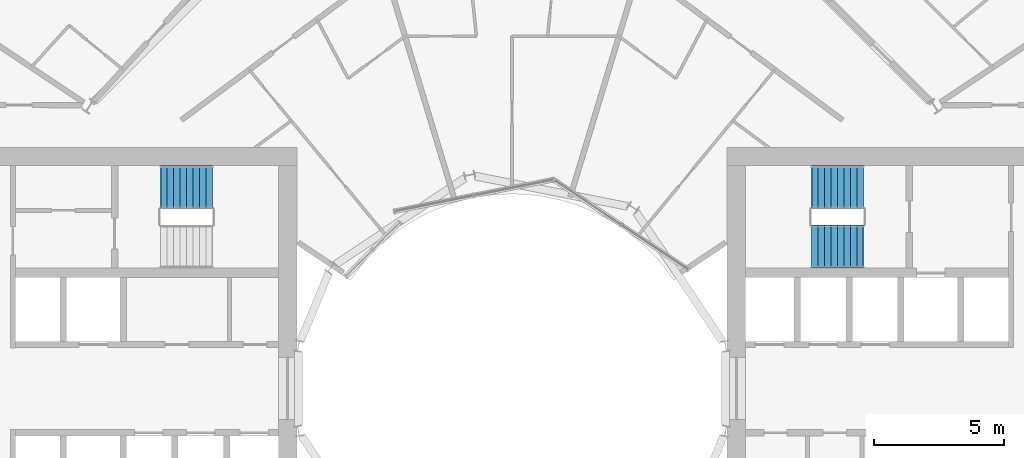
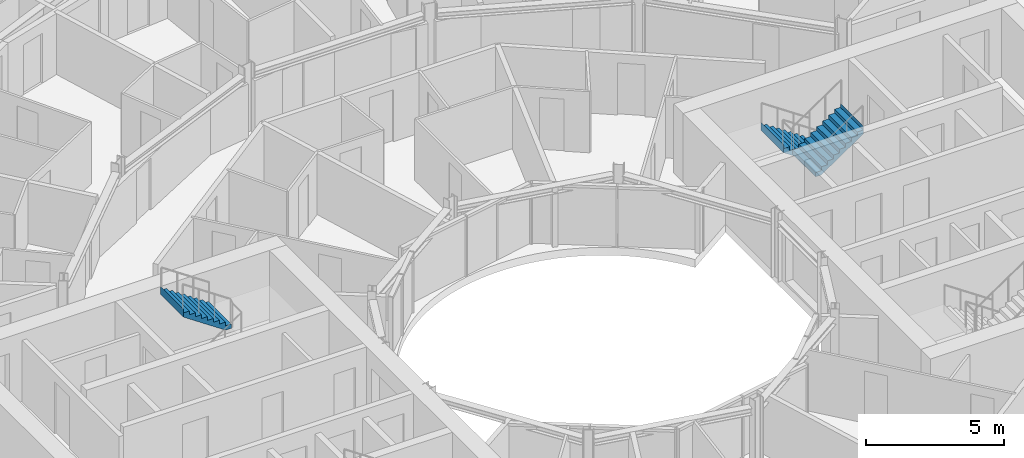
# One storey, part 24 of 26: 3 stair flights, 2 elements without a shape of their own.
"""IFC4 building model written with IfcOpenShell, lengths in metres."""

from ifc_helpers import new_model, si_unit, direction, frame, origin, place, context, subcontext, project, spatial, triangles, material, type_object, element, aggregate, save


model = new_model("IFC4")

# Units and contexts
model_context = context("Model", 3, precision=1e-05, world=origin(), true_north=direction((0.0, 1.0)))
body_context = subcontext(model_context, "Body", "Model", "MODEL_VIEW")
ifc_project = project(units=[si_unit("LENGTHUNIT", "METRE"), si_unit("AREAUNIT", "SQUARE_METRE"), si_unit("VOLUMEUNIT", "CUBIC_METRE"), si_unit("PLANEANGLEUNIT", "RADIAN"), si_unit("MASSUNIT", "GRAM", prefix="KILO")], contexts=[model_context])

# Site, building, storey
site_placement = place(None, origin())
site = spatial("IfcSite", under=ifc_project, at=site_placement, CompositionType="ELEMENT")
building_placement = place(site_placement, origin())
building = spatial("IfcBuilding", under=site, at=building_placement, Name="Maasbend Ring Residences", CompositionType="ELEMENT")
storey_placement = place(building_placement, frame((0.0, 0.0, 75.800048828125)))
storey = spatial("IfcBuildingStorey", under=building, at=storey_placement, Name="L21", CompositionType="ELEMENT", Elevation=75.800048828125)

# Stair, stair flights
ifc_material_1 = material(Name="Concrete C40/50", Category="concrete")
stair_type = type_object("IfcStairType", Name="CORE STAIR 18 RISERS", PredefinedType="HALF_TURN_STAIR", material=ifc_material_1)
stair_1_placement = place(storey_placement, origin())
stair_1 = element("IfcStair", 1, at=stair_1_placement, inside=storey, type_object=stair_type, Name="L21 Exit stair ST-E1", PredefinedType="HALF_TURN_STAIR")
ifc_material_2 = material(Name="Concrete C40/50", Category="concrete")
stair_flight_type = type_object("IfcStairFlightType", Name="CORE STAIR FLIGHT 1650", PredefinedType="STRAIGHT", material=ifc_material_2)
stair_flight_1_placement = place(storey_placement, frame((13.550048828125, 7.77490234375, 0.0), z_axis=(0.0, 0.0, 1.0), x_axis=(-1.0, 0.0, 0.0)))
stair_flight_1 = element("IfcStairFlight", 2, at=stair_flight_1_placement, type_object=stair_flight_type, Name="ST-E1 flight 1", NumberOfRisers=9, NumberOfTreads=8, PredefinedType="STRAIGHT", RiserHeight=0.169444444, TreadLength=0.25, context=body_context, shape_type="Tessellation", body=[
    triangles([(0.24072265625, 0.824951171875, -0.02001953125), (2.0029296875, 0.824951171875, 1.174560546875), (2.0029296875, 0.824951171875, 1.52490234375), (1.989990234375, 0.824951171875, 1.35546875), (1.75, 0.824951171875, 1.35546875), (1.75, 0.824951171875, 1.18603515625), (1.5, 0.824951171875, 1.18603515625), (1.5, 0.824951171875, 1.0166015625), (1.25, 0.824951171875, 1.0166015625), (1.25, 0.824951171875, 0.84716796875), (1.0, 0.824951171875, 0.84716796875), (1.0, 0.824951171875, 0.677734375), (0.75, 0.824951171875, 0.677734375), (0.75, 0.824951171875, 0.50830078125), (0.5, 0.824951171875, 0.50830078125), (0.5, 0.824951171875, 0.3388671875), (0.25, 0.824951171875, 0.3388671875), (0.25, 0.824951171875, 0.16943359375), (0.0, 0.824951171875, 0.16943359375), (0.0, 0.824951171875, 0.0), (-0.0029296875, 0.824951171875, 0.0), (-0.0029296875, 0.824951171875, -0.02001953125), (0.24072265625, 0.27490234375, -0.02001953125), (2.0029296875, 0.27490234375, 1.174560546875), (2.0029296875, 0.27490234375, 1.52490234375), (1.989990234375, 0.27490234375, 1.35546875), (1.75, 0.27490234375, 1.35546875), (1.75, 0.27490234375, 1.18603515625), (1.5, 0.27490234375, 1.18603515625), (1.5, 0.27490234375, 1.0166015625), (1.25, 0.27490234375, 1.0166015625), (1.25, 0.27490234375, 0.84716796875), (1.0, 0.27490234375, 0.84716796875), (1.0, 0.27490234375, 0.677734375), (0.75, 0.27490234375, 0.677734375), (0.75, 0.27490234375, 0.50830078125), (0.5, 0.27490234375, 0.50830078125), (0.5, 0.27490234375, 0.3388671875), (0.25, 0.27490234375, 0.3388671875), (0.25, 0.27490234375, 0.16943359375), (0.0, 0.27490234375, 0.16943359375), (0.0, 0.27490234375, 0.0), (-0.0029296875, 0.27490234375, 0.0), (-0.0029296875, 0.27490234375, -0.02001953125), (0.24072265625, -0.27490234375, -0.02001953125), (2.0029296875, -0.27490234375, 1.174560546875), (2.0029296875, -0.27490234375, 1.52490234375), (1.989990234375, -0.27490234375, 1.35546875), (1.75, -0.27490234375, 1.35546875), (1.75, -0.27490234375, 1.18603515625), (1.5, -0.27490234375, 1.18603515625), (1.5, -0.27490234375, 1.0166015625), (1.25, -0.27490234375, 1.0166015625), (1.25, -0.27490234375, 0.84716796875), (1.0, -0.27490234375, 0.84716796875), (1.0, -0.27490234375, 0.677734375), (0.75, -0.27490234375, 0.677734375), (0.75, -0.27490234375, 0.50830078125), (0.5, -0.27490234375, 0.50830078125), (0.5, -0.27490234375, 0.3388671875), (0.25, -0.27490234375, 0.3388671875), (0.25, -0.27490234375, 0.16943359375), (0.0, -0.27490234375, 0.16943359375), (0.0, -0.27490234375, 0.0), (-0.0029296875, -0.27490234375, 0.0), (-0.0029296875, -0.27490234375, -0.02001953125), (0.24072265625, -0.824951171875, -0.02001953125), (2.0029296875, -0.824951171875, 1.174560546875), (2.0029296875, -0.824951171875, 1.52490234375), (1.989990234375, -0.824951171875, 1.35546875), (1.75, -0.824951171875, 1.35546875), (1.75, -0.824951171875, 1.18603515625), (1.5, -0.824951171875, 1.18603515625), (1.5, -0.824951171875, 1.0166015625), (1.25, -0.824951171875, 1.0166015625), (1.25, -0.824951171875, 0.84716796875), (1.0, -0.824951171875, 0.84716796875), (1.0, -0.824951171875, 0.677734375), (0.75, -0.824951171875, 0.677734375), (0.75, -0.824951171875, 0.50830078125), (0.5, -0.824951171875, 0.50830078125), (0.5, -0.824951171875, 0.3388671875), (0.25, -0.824951171875, 0.3388671875), (0.25, -0.824951171875, 0.16943359375), (0.0, -0.824951171875, 0.16943359375), (0.0, -0.824951171875, 0.0), (-0.0029296875, -0.824951171875, 0.0), (-0.0029296875, -0.824951171875, -0.02001953125)], [[1, 2, 24], [1, 24, 23], [23, 24, 46], [23, 46, 45], [45, 46, 68], [45, 68, 67], [2, 3, 25], [2, 25, 24], [24, 25, 47], [24, 47, 46], [46, 47, 69], [46, 69, 68], [3, 4, 26], [3, 26, 25], [25, 26, 48], [25, 48, 47], [47, 48, 70], [47, 70, 69], [4, 5, 27], [4, 27, 26], [26, 27, 49], [26, 49, 48], [48, 49, 71], [48, 71, 70], [5, 6, 28], [5, 28, 27], [27, 28, 50], [27, 50, 49], [49, 50, 72], [49, 72, 71], [6, 7, 29], [6, 29, 28], [28, 29, 51], [28, 51, 50], [50, 51, 73], [50, 73, 72], [7, 8, 30], [7, 30, 29], [29, 30, 52], [29, 52, 51], [51, 52, 74], [51, 74, 73], [8, 9, 31], [8, 31, 30], [30, 31, 53], [30, 53, 52], [52, 53, 75], [52, 75, 74], [9, 10, 32], [9, 32, 31], [31, 32, 54], [31, 54, 53], [53, 54, 76], [53, 76, 75], [10, 11, 33], [10, 33, 32], [32, 33, 55], [32, 55, 54], [54, 55, 77], [54, 77, 76], [11, 12, 34], [11, 34, 33], [33, 34, 56], [33, 56, 55], [55, 56, 78], [55, 78, 77], [12, 13, 35], [12, 35, 34], [34, 35, 57], [34, 57, 56], [56, 57, 79], [56, 79, 78], [13, 14, 36], [13, 36, 35], [35, 36, 58], [35, 58, 57], [57, 58, 80], [57, 80, 79], [14, 15, 37], [14, 37, 36], [36, 37, 59], [36, 59, 58], [58, 59, 81], [58, 81, 80], [15, 16, 38], [15, 38, 37], [37, 38, 60], [37, 60, 59], [59, 60, 82], [59, 82, 81], [16, 17, 39], [16, 39, 38], [38, 39, 61], [38, 61, 60], [60, 61, 83], [60, 83, 82], [17, 18, 40], [17, 40, 39], [39, 40, 62], [39, 62, 61], [61, 62, 84], [61, 84, 83], [18, 19, 41], [18, 41, 40], [40, 41, 63], [40, 63, 62], [62, 63, 85], [62, 85, 84], [19, 20, 42], [19, 42, 41], [41, 42, 64], [41, 64, 63], [63, 64, 86], [63, 86, 85], [20, 21, 43], [20, 43, 42], [42, 43, 65], [42, 65, 64], [64, 65, 87], [64, 87, 86], [21, 22, 44], [21, 44, 43], [43, 44, 66], [43, 66, 65], [65, 66, 88], [65, 88, 87], [22, 1, 23], [22, 23, 44], [44, 23, 45], [44, 45, 66], [66, 45, 67], [66, 67, 88], [22, 2, 1], [2, 4, 3], [2, 5, 4], [2, 6, 5], [22, 6, 2], [6, 8, 7], [22, 8, 6], [8, 10, 9], [22, 10, 8], [10, 12, 11], [22, 12, 10], [12, 14, 13], [22, 14, 12], [14, 16, 15], [22, 16, 14], [16, 18, 17], [22, 18, 16], [18, 20, 19], [22, 20, 18], [20, 22, 21], [88, 67, 68], [68, 69, 70], [68, 70, 71], [68, 71, 72], [88, 68, 72], [72, 73, 74], [88, 72, 74], [74, 75, 76], [88, 74, 76], [76, 77, 78], [88, 76, 78], [78, 79, 80], [88, 78, 80], [80, 81, 82], [88, 80, 82], [82, 83, 84], [88, 82, 84], [84, 85, 86], [88, 84, 86], [86, 87, 88]], closed=True),
])
stair_flight_2_placement = place(storey_placement, frame((11.550048828125, 5.47509765625, 1.52490234375), z_axis=(0.0, 0.0, 1.0), x_axis=(1.0, 0.0, 0.0)))
stair_flight_2 = element("IfcStairFlight", 3, at=stair_flight_2_placement, type_object=stair_flight_type, Name="ST-E1 flight 2", NumberOfRisers=9, NumberOfTreads=8, PredefinedType="STRAIGHT", RiserHeight=0.169444444, TreadLength=0.25, context=body_context, shape_type="Tessellation", body=[
    triangles([(0.24072265625, 0.824951171875, -0.02001953125), (2.0029296875, 0.824951171875, 1.174560546875), (2.0029296875, 0.824951171875, 1.52490234375), (1.989990234375, 0.824951171875, 1.35546875), (1.75, 0.824951171875, 1.35546875), (1.75, 0.824951171875, 1.18603515625), (1.5, 0.824951171875, 1.18603515625), (1.5, 0.824951171875, 1.0166015625), (1.25, 0.824951171875, 1.0166015625), (1.25, 0.824951171875, 0.84716796875), (1.0, 0.824951171875, 0.84716796875), (1.0, 0.824951171875, 0.677734375), (0.75, 0.824951171875, 0.677734375), (0.75, 0.824951171875, 0.50830078125), (0.5, 0.824951171875, 0.50830078125), (0.5, 0.824951171875, 0.3388671875), (0.25, 0.824951171875, 0.3388671875), (0.25, 0.824951171875, 0.16943359375), (0.0, 0.824951171875, 0.16943359375), (0.0, 0.824951171875, 0.0), (-0.0029296875, 0.824951171875, 0.0), (-0.0029296875, 0.824951171875, -0.02001953125), (0.24072265625, 0.27490234375, -0.02001953125), (2.0029296875, 0.27490234375, 1.174560546875), (2.0029296875, 0.27490234375, 1.52490234375), (1.989990234375, 0.27490234375, 1.35546875), (1.75, 0.27490234375, 1.35546875), (1.75, 0.27490234375, 1.18603515625), (1.5, 0.27490234375, 1.18603515625), (1.5, 0.27490234375, 1.0166015625), (1.25, 0.27490234375, 1.0166015625), (1.25, 0.27490234375, 0.84716796875), (1.0, 0.27490234375, 0.84716796875), (1.0, 0.27490234375, 0.677734375), (0.75, 0.27490234375, 0.677734375), (0.75, 0.27490234375, 0.50830078125), (0.5, 0.27490234375, 0.50830078125), (0.5, 0.27490234375, 0.3388671875), (0.25, 0.27490234375, 0.3388671875), (0.25, 0.27490234375, 0.16943359375), (0.0, 0.27490234375, 0.16943359375), (0.0, 0.27490234375, 0.0), (-0.0029296875, 0.27490234375, 0.0), (-0.0029296875, 0.27490234375, -0.02001953125), (0.24072265625, -0.27490234375, -0.02001953125), (2.0029296875, -0.27490234375, 1.174560546875), (2.0029296875, -0.27490234375, 1.52490234375), (1.989990234375, -0.27490234375, 1.35546875), (1.75, -0.27490234375, 1.35546875), (1.75, -0.27490234375, 1.18603515625), (1.5, -0.27490234375, 1.18603515625), (1.5, -0.27490234375, 1.0166015625), (1.25, -0.27490234375, 1.0166015625), (1.25, -0.27490234375, 0.84716796875), (1.0, -0.27490234375, 0.84716796875), (1.0, -0.27490234375, 0.677734375), (0.75, -0.27490234375, 0.677734375), (0.75, -0.27490234375, 0.50830078125), (0.5, -0.27490234375, 0.50830078125), (0.5, -0.27490234375, 0.3388671875), (0.25, -0.27490234375, 0.3388671875), (0.25, -0.27490234375, 0.16943359375), (0.0, -0.27490234375, 0.16943359375), (0.0, -0.27490234375, 0.0), (-0.0029296875, -0.27490234375, 0.0), (-0.0029296875, -0.27490234375, -0.02001953125), (0.24072265625, -0.824951171875, -0.02001953125), (2.0029296875, -0.824951171875, 1.174560546875), (2.0029296875, -0.824951171875, 1.52490234375), (1.989990234375, -0.824951171875, 1.35546875), (1.75, -0.824951171875, 1.35546875), (1.75, -0.824951171875, 1.18603515625), (1.5, -0.824951171875, 1.18603515625), (1.5, -0.824951171875, 1.0166015625), (1.25, -0.824951171875, 1.0166015625), (1.25, -0.824951171875, 0.84716796875), (1.0, -0.824951171875, 0.84716796875), (1.0, -0.824951171875, 0.677734375), (0.75, -0.824951171875, 0.677734375), (0.75, -0.824951171875, 0.50830078125), (0.5, -0.824951171875, 0.50830078125), (0.5, -0.824951171875, 0.3388671875), (0.25, -0.824951171875, 0.3388671875), (0.25, -0.824951171875, 0.16943359375), (0.0, -0.824951171875, 0.16943359375), (0.0, -0.824951171875, 0.0), (-0.0029296875, -0.824951171875, 0.0), (-0.0029296875, -0.824951171875, -0.02001953125)], [[1, 2, 24], [1, 24, 23], [23, 24, 46], [23, 46, 45], [45, 46, 68], [45, 68, 67], [2, 3, 25], [2, 25, 24], [24, 25, 47], [24, 47, 46], [46, 47, 69], [46, 69, 68], [3, 4, 26], [3, 26, 25], [25, 26, 48], [25, 48, 47], [47, 48, 70], [47, 70, 69], [4, 5, 27], [4, 27, 26], [26, 27, 49], [26, 49, 48], [48, 49, 71], [48, 71, 70], [5, 6, 28], [5, 28, 27], [27, 28, 50], [27, 50, 49], [49, 50, 72], [49, 72, 71], [6, 7, 29], [6, 29, 28], [28, 29, 51], [28, 51, 50], [50, 51, 73], [50, 73, 72], [7, 8, 30], [7, 30, 29], [29, 30, 52], [29, 52, 51], [51, 52, 74], [51, 74, 73], [8, 9, 31], [8, 31, 30], [30, 31, 53], [30, 53, 52], [52, 53, 75], [52, 75, 74], [9, 10, 32], [9, 32, 31], [31, 32, 54], [31, 54, 53], [53, 54, 76], [53, 76, 75], [10, 11, 33], [10, 33, 32], [32, 33, 55], [32, 55, 54], [54, 55, 77], [54, 77, 76], [11, 12, 34], [11, 34, 33], [33, 34, 56], [33, 56, 55], [55, 56, 78], [55, 78, 77], [12, 13, 35], [12, 35, 34], [34, 35, 57], [34, 57, 56], [56, 57, 79], [56, 79, 78], [13, 14, 36], [13, 36, 35], [35, 36, 58], [35, 58, 57], [57, 58, 80], [57, 80, 79], [14, 15, 37], [14, 37, 36], [36, 37, 59], [36, 59, 58], [58, 59, 81], [58, 81, 80], [15, 16, 38], [15, 38, 37], [37, 38, 60], [37, 60, 59], [59, 60, 82], [59, 82, 81], [16, 17, 39], [16, 39, 38], [38, 39, 61], [38, 61, 60], [60, 61, 83], [60, 83, 82], [17, 18, 40], [17, 40, 39], [39, 40, 62], [39, 62, 61], [61, 62, 84], [61, 84, 83], [18, 19, 41], [18, 41, 40], [40, 41, 63], [40, 63, 62], [62, 63, 85], [62, 85, 84], [19, 20, 42], [19, 42, 41], [41, 42, 64], [41, 64, 63], [63, 64, 86], [63, 86, 85], [20, 21, 43], [20, 43, 42], [42, 43, 65], [42, 65, 64], [64, 65, 87], [64, 87, 86], [21, 22, 44], [21, 44, 43], [43, 44, 66], [43, 66, 65], [65, 66, 88], [65, 88, 87], [22, 1, 23], [22, 23, 44], [44, 23, 45], [44, 45, 66], [66, 45, 67], [66, 67, 88], [22, 2, 1], [2, 4, 3], [2, 5, 4], [2, 6, 5], [22, 6, 2], [6, 8, 7], [22, 8, 6], [8, 10, 9], [22, 10, 8], [10, 12, 11], [22, 12, 10], [12, 14, 13], [22, 14, 12], [14, 16, 15], [22, 16, 14], [16, 18, 17], [22, 18, 16], [18, 20, 19], [22, 20, 18], [20, 22, 21], [88, 67, 68], [68, 69, 70], [68, 70, 71], [68, 71, 72], [88, 68, 72], [72, 73, 74], [88, 72, 74], [74, 75, 76], [88, 74, 76], [76, 77, 78], [88, 76, 78], [78, 79, 80], [88, 78, 80], [80, 81, 82], [88, 80, 82], [82, 83, 84], [88, 82, 84], [84, 85, 86], [88, 84, 86], [86, 87, 88]], closed=True),
])
aggregate(stair_1, [stair_flight_1, stair_flight_2])

# Stair, stair flight
stair_2_placement = place(storey_placement, origin())
stair_2 = element("IfcStair", 4, at=stair_2_placement, inside=storey, type_object=stair_type, Name="L21 Exit stair ST-W2", PredefinedType="HALF_TURN_STAIR")
stair_flight_3_placement = place(storey_placement, frame((-11.550048828125, 7.77490234375, 1.52490234375), z_axis=(0.0, 0.0, 1.0), x_axis=(-1.0, 0.0, 0.0)))
stair_flight_3 = element("IfcStairFlight", 5, at=stair_flight_3_placement, type_object=stair_flight_type, Name="ST-W2 flight 2", NumberOfRisers=9, NumberOfTreads=8, PredefinedType="STRAIGHT", RiserHeight=0.169444444, TreadLength=0.25, context=body_context, shape_type="Tessellation", body=[
    triangles([(0.24072265625, 0.824951171875, -0.02001953125), (2.0029296875, 0.824951171875, 1.174560546875), (2.0029296875, 0.824951171875, 1.52490234375), (1.989990234375, 0.824951171875, 1.35546875), (1.75, 0.824951171875, 1.35546875), (1.75, 0.824951171875, 1.18603515625), (1.5, 0.824951171875, 1.18603515625), (1.5, 0.824951171875, 1.0166015625), (1.25, 0.824951171875, 1.0166015625), (1.25, 0.824951171875, 0.84716796875), (1.0, 0.824951171875, 0.84716796875), (1.0, 0.824951171875, 0.677734375), (0.75, 0.824951171875, 0.677734375), (0.75, 0.824951171875, 0.50830078125), (0.5, 0.824951171875, 0.50830078125), (0.5, 0.824951171875, 0.3388671875), (0.25, 0.824951171875, 0.3388671875), (0.25, 0.824951171875, 0.16943359375), (0.0, 0.824951171875, 0.16943359375), (0.0, 0.824951171875, 0.0), (-0.0029296875, 0.824951171875, 0.0), (-0.0029296875, 0.824951171875, -0.02001953125), (0.24072265625, 0.27490234375, -0.02001953125), (2.0029296875, 0.27490234375, 1.174560546875), (2.0029296875, 0.27490234375, 1.52490234375), (1.989990234375, 0.27490234375, 1.35546875), (1.75, 0.27490234375, 1.35546875), (1.75, 0.27490234375, 1.18603515625), (1.5, 0.27490234375, 1.18603515625), (1.5, 0.27490234375, 1.0166015625), (1.25, 0.27490234375, 1.0166015625), (1.25, 0.27490234375, 0.84716796875), (1.0, 0.27490234375, 0.84716796875), (1.0, 0.27490234375, 0.677734375), (0.75, 0.27490234375, 0.677734375), (0.75, 0.27490234375, 0.50830078125), (0.5, 0.27490234375, 0.50830078125), (0.5, 0.27490234375, 0.3388671875), (0.25, 0.27490234375, 0.3388671875), (0.25, 0.27490234375, 0.16943359375), (0.0, 0.27490234375, 0.16943359375), (0.0, 0.27490234375, 0.0), (-0.0029296875, 0.27490234375, 0.0), (-0.0029296875, 0.27490234375, -0.02001953125), (0.24072265625, -0.27490234375, -0.02001953125), (2.0029296875, -0.27490234375, 1.174560546875), (2.0029296875, -0.27490234375, 1.52490234375), (1.989990234375, -0.27490234375, 1.35546875), (1.75, -0.27490234375, 1.35546875), (1.75, -0.27490234375, 1.18603515625), (1.5, -0.27490234375, 1.18603515625), (1.5, -0.27490234375, 1.0166015625), (1.25, -0.27490234375, 1.0166015625), (1.25, -0.27490234375, 0.84716796875), (1.0, -0.27490234375, 0.84716796875), (1.0, -0.27490234375, 0.677734375), (0.75, -0.27490234375, 0.677734375), (0.75, -0.27490234375, 0.50830078125), (0.5, -0.27490234375, 0.50830078125), (0.5, -0.27490234375, 0.3388671875), (0.25, -0.27490234375, 0.3388671875), (0.25, -0.27490234375, 0.16943359375), (0.0, -0.27490234375, 0.16943359375), (0.0, -0.27490234375, 0.0), (-0.0029296875, -0.27490234375, 0.0), (-0.0029296875, -0.27490234375, -0.02001953125), (0.24072265625, -0.824951171875, -0.02001953125), (2.0029296875, -0.824951171875, 1.174560546875), (2.0029296875, -0.824951171875, 1.52490234375), (1.989990234375, -0.824951171875, 1.35546875), (1.75, -0.824951171875, 1.35546875), (1.75, -0.824951171875, 1.18603515625), (1.5, -0.824951171875, 1.18603515625), (1.5, -0.824951171875, 1.0166015625), (1.25, -0.824951171875, 1.0166015625), (1.25, -0.824951171875, 0.84716796875), (1.0, -0.824951171875, 0.84716796875), (1.0, -0.824951171875, 0.677734375), (0.75, -0.824951171875, 0.677734375), (0.75, -0.824951171875, 0.50830078125), (0.5, -0.824951171875, 0.50830078125), (0.5, -0.824951171875, 0.3388671875), (0.25, -0.824951171875, 0.3388671875), (0.25, -0.824951171875, 0.16943359375), (0.0, -0.824951171875, 0.16943359375), (0.0, -0.824951171875, 0.0), (-0.0029296875, -0.824951171875, 0.0), (-0.0029296875, -0.824951171875, -0.02001953125)], [[1, 2, 24], [1, 24, 23], [23, 24, 46], [23, 46, 45], [45, 46, 68], [45, 68, 67], [2, 3, 25], [2, 25, 24], [24, 25, 47], [24, 47, 46], [46, 47, 69], [46, 69, 68], [3, 4, 26], [3, 26, 25], [25, 26, 48], [25, 48, 47], [47, 48, 70], [47, 70, 69], [4, 5, 27], [4, 27, 26], [26, 27, 49], [26, 49, 48], [48, 49, 71], [48, 71, 70], [5, 6, 28], [5, 28, 27], [27, 28, 50], [27, 50, 49], [49, 50, 72], [49, 72, 71], [6, 7, 29], [6, 29, 28], [28, 29, 51], [28, 51, 50], [50, 51, 73], [50, 73, 72], [7, 8, 30], [7, 30, 29], [29, 30, 52], [29, 52, 51], [51, 52, 74], [51, 74, 73], [8, 9, 31], [8, 31, 30], [30, 31, 53], [30, 53, 52], [52, 53, 75], [52, 75, 74], [9, 10, 32], [9, 32, 31], [31, 32, 54], [31, 54, 53], [53, 54, 76], [53, 76, 75], [10, 11, 33], [10, 33, 32], [32, 33, 55], [32, 55, 54], [54, 55, 77], [54, 77, 76], [11, 12, 34], [11, 34, 33], [33, 34, 56], [33, 56, 55], [55, 56, 78], [55, 78, 77], [12, 13, 35], [12, 35, 34], [34, 35, 57], [34, 57, 56], [56, 57, 79], [56, 79, 78], [13, 14, 36], [13, 36, 35], [35, 36, 58], [35, 58, 57], [57, 58, 80], [57, 80, 79], [14, 15, 37], [14, 37, 36], [36, 37, 59], [36, 59, 58], [58, 59, 81], [58, 81, 80], [15, 16, 38], [15, 38, 37], [37, 38, 60], [37, 60, 59], [59, 60, 82], [59, 82, 81], [16, 17, 39], [16, 39, 38], [38, 39, 61], [38, 61, 60], [60, 61, 83], [60, 83, 82], [17, 18, 40], [17, 40, 39], [39, 40, 62], [39, 62, 61], [61, 62, 84], [61, 84, 83], [18, 19, 41], [18, 41, 40], [40, 41, 63], [40, 63, 62], [62, 63, 85], [62, 85, 84], [19, 20, 42], [19, 42, 41], [41, 42, 64], [41, 64, 63], [63, 64, 86], [63, 86, 85], [20, 21, 43], [20, 43, 42], [42, 43, 65], [42, 65, 64], [64, 65, 87], [64, 87, 86], [21, 22, 44], [21, 44, 43], [43, 44, 66], [43, 66, 65], [65, 66, 88], [65, 88, 87], [22, 1, 23], [22, 23, 44], [44, 23, 45], [44, 45, 66], [66, 45, 67], [66, 67, 88], [22, 2, 1], [2, 4, 3], [2, 5, 4], [2, 6, 5], [22, 6, 2], [6, 8, 7], [22, 8, 6], [8, 10, 9], [22, 10, 8], [10, 12, 11], [22, 12, 10], [12, 14, 13], [22, 14, 12], [14, 16, 15], [22, 16, 14], [16, 18, 17], [22, 18, 16], [18, 20, 19], [22, 20, 18], [20, 22, 21], [88, 67, 68], [68, 69, 70], [68, 70, 71], [68, 71, 72], [88, 68, 72], [72, 73, 74], [88, 72, 74], [74, 75, 76], [88, 74, 76], [76, 77, 78], [88, 76, 78], [78, 79, 80], [88, 78, 80], [80, 81, 82], [88, 80, 82], [82, 83, 84], [88, 82, 84], [84, 85, 86], [88, 84, 86], [86, 87, 88]], closed=True),
])
aggregate(stair_2, [stair_flight_3])

save(model, "model.ifc")
